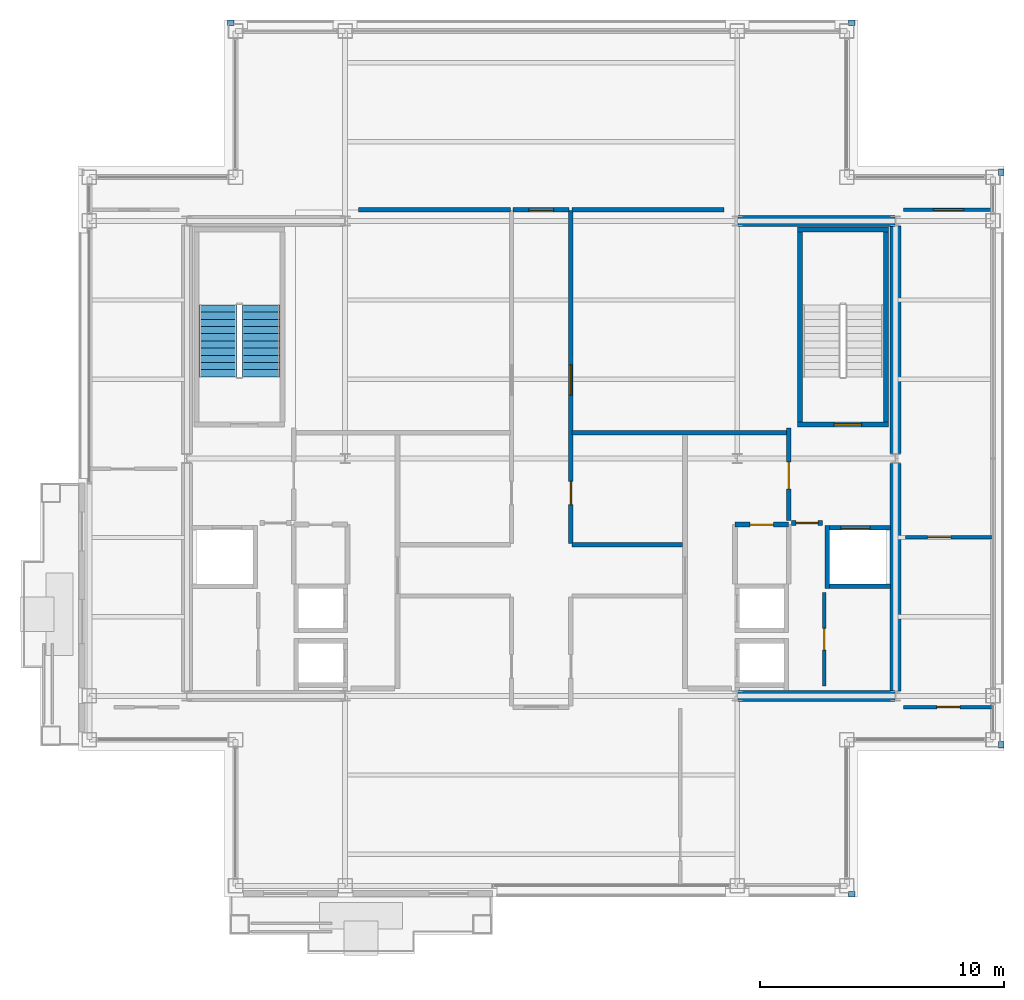
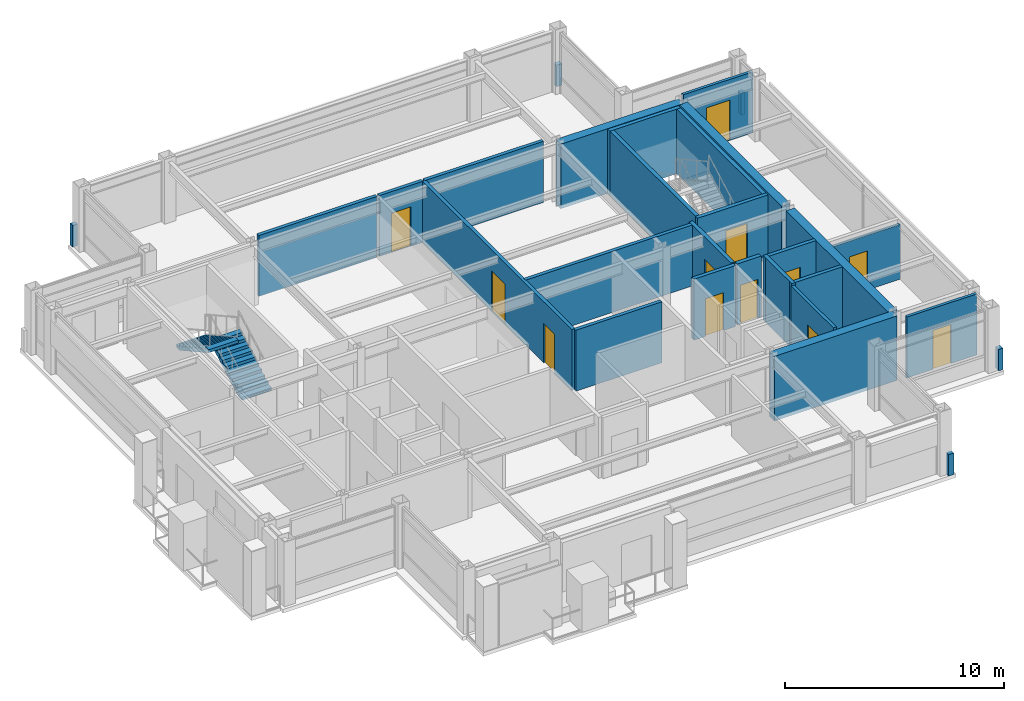
# One storey, part 24 of 27: 29 walls, 12 doors, 2 stair flights, 12 openings, 1 element without a shape of its own.
"""IFC4 building model written with IfcOpenShell, lengths in metres."""

from ifc_helpers import new_model, si_unit, direction, frame, frame_2d, origin, place, context, subcontext, project, spatial, polyline, rectangle, outline, extrude, material, layer, layer_set, type_object, element, fill, aggregate, save


model = new_model("IFC4")

# Units and contexts
model_context = context("Model", 3, precision=1e-05, world=origin(), true_north=direction((0.0, 1.0)))
body_context = subcontext(model_context, "Body", "Model", "MODEL_VIEW")
ifc_project = project(units=[si_unit("LENGTHUNIT", "METRE"), si_unit("AREAUNIT", "SQUARE_METRE"), si_unit("VOLUMEUNIT", "CUBIC_METRE"), si_unit("PLANEANGLEUNIT", "RADIAN"), si_unit("MASSUNIT", "GRAM", prefix="KILO")], contexts=[model_context])

# Site, building, storey
site_placement = place(None, origin())
site = spatial("IfcSite", under=ifc_project, at=site_placement, CompositionType="ELEMENT")
building_placement = place(site_placement, origin())
building = spatial("IfcBuilding", under=site, at=building_placement, Name="Brelmoor Portico Tower", CompositionType="ELEMENT")
storey_placement = place(building_placement, frame((0.0, 0.0, 250.800048828125)))
storey = spatial("IfcBuildingStorey", under=building, at=storey_placement, Name="L66", CompositionType="ELEMENT", Elevation=250.800048828125)

# Walls
ifc_material_1 = material(Name="Concrete C50", Category="concrete")
ifc_layer_1 = layer(ifc_material_1, 0.449951171875)
ifc_layer_set_1 = layer_set([ifc_layer_1], Name="Concrete C50")
wall_type_1 = type_object("IfcWallType", Name="WL-CORE-450", PredefinedType="SHEAR", material=ifc_layer_set_1)
for number, where, z_axis, x_axis, name in (
    (1, (8.070068359375, -9.75, -0.199951171875), (0.0, 0.0, 1.0), (1.0, 0.0, 0.0), "L66 EC South Shear Wall"),
    (2, (8.070068359375, 9.75, -0.199951171875), (0.0, 0.0, 1.0), (1.0, 0.0, 0.0), "L66 EC North Shear Wall"),
):
    element("IfcWall", number, at=place(storey_placement, frame(where, z_axis=z_axis, x_axis=x_axis)), inside=storey, type_object=wall_type_1, Name=name, PredefinedType="SHEAR", context=body_context, shape_type="SweptSolid", body=[
        extrude(rectangle(XDim=6.4599609375, YDim=0.449951171875, at=frame_2d((3.22998046875, 0.0))), origin(), (0.0, 0.0, 1.0), 3.599853515625),
    ])
for number, where, z_axis, x_axis, name in (
    (3, (14.550048828125, -9.550048828125, -0.199951171875), (0.0, 0.0, 1.0), (0.0, 1.0, 0.0), "L66 EC Outer South Shear Wall"),
    (4, (14.550048828125, 0.199951171875, -0.199951171875), (0.0, 0.0, 1.0), (0.0, 1.0, 0.0), "L66 EC Outer North Shear Wall"),
):
    element("IfcWall", number, at=place(storey_placement, frame(where, z_axis=z_axis, x_axis=x_axis)), inside=storey, type_object=wall_type_1, Name=name, PredefinedType="SHEAR", context=body_context, shape_type="SweptSolid", body=[
        extrude(rectangle(XDim=9.35009765625, YDim=0.449951171875, at=frame_2d((4.675048828125, 0.0))), origin(), (0.0, 0.0, 1.0), 3.599853515625),
    ])
ifc_material_2 = material(Name="Concrete C40 Parapet Upstand", Category="concrete")
ifc_layer_2 = layer(ifc_material_2, 0.219970703125)
ifc_layer_set_2 = layer_set([ifc_layer_2], Name="Concrete C40 Parapet Upstand")
wall_type_2 = type_object("IfcWallType", Name="WL-PARAPET-220", PredefinedType="PARAPET", material=ifc_layer_set_2)
for number, where, z_axis, x_axis, name in (
    (5, (12.6201171875, -17.889892578125, 0.0), (0.0, 0.0, 1.0), (1.0, 0.0, 0.0), "L66 Chamfer Vertex Parapet Pier SE1"),
    (6, (18.889892578125, -11.889892578125, 0.0), (0.0, 0.0, 1.0), (0.0, 1.0, 0.0), "L66 Chamfer Vertex Parapet Pier SE2"),
    (7, (-12.889892578125, 17.889892578125, 0.0), (0.0, 0.0, 1.0), (1.0, 0.0, 0.0), "L66 Chamfer Vertex Parapet Pier NW1"),
    (8, (12.6201171875, 17.889892578125, 0.0), (0.0, 0.0, 1.0), (1.0, 0.0, 0.0), "L66 Chamfer Vertex Parapet Pier NE1"),
    (9, (18.889892578125, 11.6201171875, 0.0), (0.0, 0.0, 1.0), (0.0, 1.0, 0.0), "L66 Chamfer Vertex Parapet Pier NE2"),
):
    element("IfcWall", number, at=place(storey_placement, frame(where, z_axis=z_axis, x_axis=x_axis)), inside=storey, type_object=wall_type_2, Name=name, PredefinedType="PARAPET", context=body_context, shape_type="SweptSolid", body=[
        extrude(rectangle(XDim=0.269775390625, YDim=0.219970703125, at=frame_2d((0.134765625, 0.0))), origin(), (0.0, 0.0, 1.0), 1.199951171875),
    ])

# Wall, opening, door
ifc_material_3 = material(Name="Wet-Area Moisture-Resistant Partition", Category="gypsum")
ifc_layer_3 = layer(ifc_material_3, 0.14990234375)
ifc_layer_set_3 = layer_set([ifc_layer_3], Name="Wet-Area Moisture-Resistant Partition")
wall_type_3 = type_object("IfcWallType", Name="WL-PART-150", PredefinedType="PARTITIONING", material=ifc_layer_set_3)
wall_1_placement = place(storey_placement, frame((14.8798828125, 10.2099609375, 0.0), z_axis=(0.0, 0.0, 1.0), x_axis=(1.0, 0.0, 0.0)))
wall_1 = element("IfcWall", 10, at=wall_1_placement, inside=storey, type_object=wall_type_3, Name="L66 North Wing Suite Wall ER", PredefinedType="PARTITIONING", context=body_context, shape_type="SweptSolid", body=[
    extrude(rectangle(XDim=3.68017578125, YDim=0.14990234375, at=frame_2d((1.840087890625, 0.0))), origin(), (0.0, 0.0, 1.0), 3.39990234375),
])
opening_1_placement = place(wall_1_placement, frame((1.219970703125, 0.0, 0.0)))
opening_1 = element("IfcOpeningElement", 11, at=opening_1_placement, cuts=wall_1, Name="Opening D-SU1", PredefinedType="OPENING", context=body_context, shape_type="SweptSolid", body=[
    extrude(rectangle(XDim=1.239990234375, YDim=2.239990234375, at=frame_2d((0.6201171875, 1.1201171875))), frame((0.0, 0.0849609375, 0.0), z_axis=(0.0, -1.0, 0.0), x_axis=(1.0, 0.0, 0.0)), (0.0, 0.0, 1.0), 0.169921875),
])
ifc_material_4 = material(Name="Glazed Timber Executive Suite Door", Category="wood")
door_type_1 = type_object("IfcDoorType", Name="DR-SUITE-1200", OperationType="NOTDEFINED", PredefinedType="DOOR", material=ifc_material_4)
door_1_placement = place(opening_1_placement, origin())
door_1 = element("IfcDoor", 12, at=door_1_placement, inside=storey, type_object=door_type_1, Name="D-2728 L66 ER Wing Suite Connecting Door", OperationType="SINGLE_SWING_LEFT", OverallHeight=2.239990234375, OverallWidth=1.239990234375, PredefinedType="DOOR", context=body_context, shape_type="SweptSolid", body=[
    extrude(rectangle(XDim=1.239990234375, YDim=2.239990234375, at=frame_2d((0.6201171875, 1.1201171875))), frame((0.0, 0.02490234375, 0.0), z_axis=(0.0, -1.0, 0.0), x_axis=(1.0, 0.0, 0.0)), (0.0, 0.0, 1.0), 0.050048828125),
])
fill(opening_1, door_1)

wall_2_placement = place(storey_placement, frame((14.8798828125, -10.2099609375, 0.0), z_axis=(0.0, 0.0, 1.0), x_axis=(1.0, 0.0, 0.0)))
wall_2 = element("IfcWall", 13, at=wall_2_placement, inside=storey, type_object=wall_type_3, Name="L66 South Wing Closure ER", PredefinedType="PARTITIONING", context=body_context, shape_type="SweptSolid", body=[
    extrude(rectangle(XDim=3.68017578125, YDim=0.14990234375, at=frame_2d((1.840087890625, 0.0))), origin(), (0.0, 0.0, 1.0), 3.39990234375),
])
opening_2_placement = place(wall_2_placement, frame((1.360107421875, 0.0, 0.0)))
opening_2 = element("IfcOpeningElement", 14, at=opening_2_placement, cuts=wall_2, Name="Opening D-IN2", PredefinedType="OPENING", context=body_context, shape_type="SweptSolid", body=[
    extrude(rectangle(XDim=0.9599609375, YDim=2.179931640625, at=frame_2d((0.47998046875, 1.08984375))), frame((0.0, 0.0849609375, 0.0), z_axis=(0.0, -1.0, 0.0), x_axis=(1.0, 0.0, 0.0)), (0.0, 0.0, 1.0), 0.169921875),
])
ifc_material_5 = material(Name="Lacquered Timber Suite Door", Category="wood")
door_type_2 = type_object("IfcDoorType", Name="DR-INT-950", OperationType="NOTDEFINED", PredefinedType="DOOR", material=ifc_material_5)
door_2_placement = place(opening_2_placement, origin())
door_2 = element("IfcDoor", 15, at=door_2_placement, inside=storey, type_object=door_type_2, Name="D-2734 L66 ER Wing South Suite Door", OperationType="SINGLE_SWING_RIGHT", OverallHeight=2.179931640625, OverallWidth=0.9599609375, PredefinedType="DOOR", context=body_context, shape_type="SweptSolid", body=[
    extrude(rectangle(XDim=0.9599609375, YDim=2.179931640625, at=frame_2d((0.47998046875, 1.08984375))), frame((0.0, 0.02490234375, 0.0), z_axis=(0.0, -1.0, 0.0), x_axis=(1.0, 0.0, 0.0)), (0.0, 0.0, 1.0), 0.050048828125),
])
fill(opening_2, door_2)

wall_3_placement = place(storey_placement, frame((14.9599609375, -3.24169921875, 0.0), z_axis=(0.0, 0.0, 1.0), x_axis=(1.0, 0.0, 0.0)))
wall_3 = element("IfcWall", 16, at=wall_3_placement, inside=storey, type_object=wall_type_3, Name="L66 E Wing Partition 1", PredefinedType="PARTITIONING", context=body_context, shape_type="SweptSolid", body=[
    extrude(rectangle(XDim=3.60009765625, YDim=0.14990234375, at=frame_2d((1.800048828125, 0.0))), origin(), (0.0, 0.0, 1.0), 3.050048828125),
])
opening_3_placement = place(wall_3_placement, frame((0.89990234375, 0.0, 0.0)))
opening_3 = element("IfcOpeningElement", 17, at=opening_3_placement, cuts=wall_3, Name="Opening D-IN2", PredefinedType="OPENING", context=body_context, shape_type="SweptSolid", body=[
    extrude(rectangle(XDim=0.9599609375, YDim=2.179931640625, at=frame_2d((0.47998046875, 1.08984375))), frame((0.0, 0.0849609375, 0.0), z_axis=(0.0, -1.0, 0.0), x_axis=(1.0, 0.0, 0.0)), (0.0, 0.0, 1.0), 0.169921875),
])
door_3_placement = place(opening_3_placement, origin())
door_3 = element("IfcDoor", 18, at=door_3_placement, inside=storey, type_object=door_type_2, Name="D-2738 L66 E Wing Suite Connecting Door 1", OperationType="SINGLE_SWING_RIGHT", OverallHeight=2.179931640625, OverallWidth=0.9599609375, PredefinedType="DOOR", context=body_context, shape_type="SweptSolid", body=[
    extrude(rectangle(XDim=0.9599609375, YDim=2.179931640625, at=frame_2d((0.47998046875, 1.08984375))), frame((0.0, 0.02490234375, 0.0), z_axis=(0.0, -1.0, 0.0), x_axis=(1.0, 0.0, 0.0)), (0.0, 0.0, 1.0), 0.050048828125),
])
fill(opening_3, door_3)

ifc_material_6 = material(Name="Twin-Frame Acoustic Partition", Category="gypsum")
ifc_layer_4 = layer(ifc_material_6, 0.159912109375)
ifc_layer_set_4 = layer_set([ifc_layer_4], Name="Twin-Frame Acoustic Partition")
wall_type_4 = type_object("IfcWallType", Name="WL-PART-160", PredefinedType="PARTITIONING", material=ifc_layer_set_4)
wall_4_placement = place(storey_placement, frame((11.6201171875, -9.35009765625, 0.0), z_axis=(0.0, 0.0, 1.0), x_axis=(0.0, 1.0, 0.0)))
wall_4 = element("IfcWall", 19, at=wall_4_placement, inside=storey, type_object=wall_type_4, Name="L66 E Core Service Front Wall", PredefinedType="PARTITIONING", context=body_context, shape_type="SweptSolid", body=[
    extrude(rectangle(XDim=3.85009765625, YDim=0.159912109375, at=frame_2d((1.925048828125, 0.0))), origin(), (0.0, 0.0, 1.0), 3.39990234375),
])
opening_4_placement = place(wall_4_placement, frame((1.47509765625, 0.0, 0.0)))
opening_4 = element("IfcOpeningElement", 20, at=opening_4_placement, cuts=wall_4, Name="Opening D-IN1", PredefinedType="OPENING", context=body_context, shape_type="SweptSolid", body=[
    extrude(rectangle(XDim=0.89990234375, YDim=2.14990234375, at=frame_2d((0.449951171875, 1.074951171875))), frame((0.0, 0.08984375, 0.0), z_axis=(0.0, -1.0, 0.0), x_axis=(1.0, 0.0, 0.0)), (0.0, 0.0, 1.0), 0.179931640625),
])
door_type_3 = type_object("IfcDoorType", Name="DR-INT-900", OperationType="NOTDEFINED", PredefinedType="DOOR", material=ifc_material_5)
door_4_placement = place(opening_4_placement, origin())
door_4 = element("IfcDoor", 21, at=door_4_placement, inside=storey, type_object=door_type_3, Name="D-2717 L66 E Male WC Door", OperationType="SINGLE_SWING_RIGHT", OverallHeight=2.14990234375, OverallWidth=0.89990234375, PredefinedType="DOOR", context=body_context, shape_type="SweptSolid", body=[
    extrude(rectangle(XDim=0.89990234375, YDim=2.14990234375, at=frame_2d((0.449951171875, 1.074951171875))), frame((0.0, 0.02490234375, 0.0), z_axis=(0.0, -1.0, 0.0), x_axis=(1.0, 0.0, 0.0)), (0.0, 0.0, 1.0), 0.050048828125),
])
fill(opening_4, door_4)

# Walls
ifc_material_7 = material(Name="Acoustic Corridor Fire Partition", Category="gypsum")
ifc_layer_5 = layer(ifc_material_7, 0.179931640625)
ifc_layer_set_5 = layer_set([ifc_layer_5], Name="Acoustic Corridor Fire Partition")
wall_type_5 = type_object("IfcWallType", Name="WL-PART-180", PredefinedType="PARTITIONING", material=ifc_layer_set_5)
wall_5_placement = place(storey_placement, frame((-7.5, 10.2099609375, 0.0), z_axis=(0.0, 0.0, 1.0), x_axis=(1.0, 0.0, 0.0)))
element("IfcWall", 22, at=wall_5_placement, inside=storey, type_object=wall_type_5, Name="L66 West Reclaimed Suite North Wall", PredefinedType="PARTITIONING", context=body_context, shape_type="SweptSolid", body=[
    extrude(rectangle(XDim=6.239990234375, YDim=0.179931640625, at=frame_2d((3.1201171875, 0.0))), origin(), (0.0, 0.0, 1.0), 3.39990234375),
])
wall_6_placement = place(storey_placement, frame((1.260009765625, 1.050048828125, 0.0), z_axis=(0.0, 0.0, 1.0), x_axis=(1.0, 0.0, 0.0)))
element("IfcWall", 23, at=wall_6_placement, inside=storey, type_object=wall_type_5, Name="L66 East Suite South Wall", PredefinedType="PARTITIONING", context=body_context, shape_type="SweptSolid", body=[
    extrude(rectangle(XDim=8.800048828125, YDim=0.179931640625, at=frame_2d((4.39990234375, 0.0))), origin(), (0.0, 0.0, 1.0), 3.39990234375),
])

# Wall, openings, doors
wall_7_placement = place(storey_placement, frame((1.219970703125, -3.5, 0.0), z_axis=(0.0, 0.0, 1.0), x_axis=(0.0, 1.0, 0.0)))
wall_7 = element("IfcWall", 24, at=wall_7_placement, inside=storey, type_object=wall_type_5, Name="L66 Central Cross East Wall", PredefinedType="PARTITIONING", context=body_context, shape_type="SweptSolid", body=[
    extrude(rectangle(XDim=13.669921875, YDim=0.179931640625, at=frame_2d((6.8349609375, 0.0))), origin(), (0.0, 0.0, 1.0), 3.39990234375),
])
opening_5_placement = place(wall_7_placement, frame((6.10009765625, 0.0, 0.0)))
opening_5 = element("IfcOpeningElement", 25, at=opening_5_placement, cuts=wall_7, Name="Opening D-SU1", PredefinedType="OPENING", context=body_context, shape_type="SweptSolid", body=[
    extrude(rectangle(XDim=1.239990234375, YDim=2.239990234375, at=frame_2d((0.6201171875, 1.1201171875))), frame((0.0, 0.099853515625, 0.0), z_axis=(0.0, -1.0, 0.0), x_axis=(1.0, 0.0, 0.0)), (0.0, 0.0, 1.0), 0.199951171875),
])
opening_6_placement = place(wall_7_placement, frame((1.60009765625, 0.0, 0.0)))
opening_6 = element("IfcOpeningElement", 26, at=opening_6_placement, cuts=wall_7, Name="Opening D-IN2", PredefinedType="OPENING", context=body_context, shape_type="SweptSolid", body=[
    extrude(rectangle(XDim=0.9599609375, YDim=2.179931640625, at=frame_2d((0.47998046875, 1.08984375))), frame((0.0, 0.099853515625, 0.0), z_axis=(0.0, -1.0, 0.0), x_axis=(1.0, 0.0, 0.0)), (0.0, 0.0, 1.0), 0.199951171875),
])
door_5_placement = place(opening_6_placement, origin())
door_5 = element("IfcDoor", 27, at=door_5_placement, inside=storey, type_object=door_type_2, Name="D-2711 L66 Client Project Office Door", OperationType="SINGLE_SWING_RIGHT", OverallHeight=2.179931640625, OverallWidth=0.9599609375, PredefinedType="DOOR", context=body_context, shape_type="SweptSolid", body=[
    extrude(rectangle(XDim=0.9599609375, YDim=2.179931640625, at=frame_2d((0.47998046875, 1.08984375))), frame((0.0, 0.02490234375, 0.0), z_axis=(0.0, -1.0, 0.0), x_axis=(1.0, 0.0, 0.0)), (0.0, 0.0, 1.0), 0.050048828125),
])
fill(opening_6, door_5)
door_6_placement = place(opening_5_placement, origin())
door_6 = element("IfcDoor", 28, at=door_6_placement, inside=storey, type_object=door_type_1, Name="D-2712 L66 East Reclaimed Studio Door", OperationType="SINGLE_SWING_LEFT", OverallHeight=2.239990234375, OverallWidth=1.239990234375, PredefinedType="DOOR", context=body_context, shape_type="SweptSolid", body=[
    extrude(rectangle(XDim=1.239990234375, YDim=2.239990234375, at=frame_2d((0.6201171875, 1.1201171875))), frame((0.0, 0.02490234375, 0.0), z_axis=(0.0, -1.0, 0.0), x_axis=(1.0, 0.0, 0.0)), (0.0, 0.0, 1.0), 0.050048828125),
])
fill(opening_5, door_6)

# Walls
wall_8_placement = place(storey_placement, frame((1.260009765625, 10.2099609375, 0.0), z_axis=(0.0, 0.0, 1.0), x_axis=(1.0, 0.0, 0.0)))
element("IfcWall", 29, at=wall_8_placement, inside=storey, type_object=wall_type_5, Name="L66 East Suite North Wall", PredefinedType="PARTITIONING", context=body_context, shape_type="SweptSolid", body=[
    extrude(rectangle(XDim=6.239990234375, YDim=0.179931640625, at=frame_2d((3.1201171875, 0.0))), origin(), (0.0, 0.0, 1.0), 3.39990234375),
])
wall_9_placement = place(storey_placement, frame((1.260009765625, -3.550048828125, 0.0), z_axis=(0.0, 0.0, 1.0), x_axis=(1.0, 0.0, 0.0)))
element("IfcWall", 30, at=wall_9_placement, inside=storey, type_object=wall_type_5, Name="L66 East Office South Wall", PredefinedType="PARTITIONING", context=body_context, shape_type="SweptSolid", body=[
    extrude(rectangle(XDim=4.5400390625, YDim=0.179931640625, at=frame_2d((2.27001953125, 0.0))), origin(), (0.0, 0.0, 1.0), 3.39990234375),
])

# Wall, opening, door
wall_10_placement = place(storey_placement, frame((-1.14990234375, 10.2099609375, 0.0), z_axis=(0.0, 0.0, 1.0), x_axis=(1.0, 0.0, 0.0)))
wall_10 = element("IfcWall", 31, at=wall_10_placement, inside=storey, type_object=wall_type_5, Name="L66 North Corridor Partition", PredefinedType="PARTITIONING", context=body_context, shape_type="SweptSolid", body=[
    extrude(rectangle(XDim=2.2998046875, YDim=0.179931640625, at=frame_2d((1.14990234375, 0.0))), origin(), (0.0, 0.0, 1.0), 3.39990234375),
])
opening_7_placement = place(wall_10_placement, frame((0.639892578125, 0.0, 0.0)))
opening_7 = element("IfcOpeningElement", 32, at=opening_7_placement, cuts=wall_10, Name="Opening D-OF1", PredefinedType="OPENING", context=body_context, shape_type="SweptSolid", body=[
    extrude(rectangle(XDim=1.02001953125, YDim=2.199951171875, at=frame_2d((0.510009765625, 1.10009765625))), frame((0.0, 0.099853515625, 0.0), z_axis=(0.0, -1.0, 0.0), x_axis=(1.0, 0.0, 0.0)), (0.0, 0.0, 1.0), 0.199951171875),
])
ifc_material_8 = material(Name="Hardwood Acoustic Veneer Door", Category="wood")
door_type_4 = type_object("IfcDoorType", Name="DR-OFFICE-1000", OperationType="NOTDEFINED", PredefinedType="DOOR", material=ifc_material_8)
door_7_placement = place(opening_7_placement, origin())
door_7 = element("IfcDoor", 33, at=door_7_placement, inside=storey, type_object=door_type_4, Name="D-2727 L66 North Technical Archive Store 1 Door", OperationType="SINGLE_SWING_LEFT", OverallHeight=2.199951171875, OverallWidth=1.02001953125, PredefinedType="DOOR", context=body_context, shape_type="SweptSolid", body=[
    extrude(rectangle(XDim=1.02001953125, YDim=2.199951171875, at=frame_2d((0.510009765625, 1.10009765625))), frame((0.0, 0.02490234375, 0.0), z_axis=(0.0, -1.0, 0.0), x_axis=(1.0, 0.0, 0.0)), (0.0, 0.0, 1.0), 0.050048828125),
])
fill(opening_7, door_7)

ifc_material_9 = material(Name="Double-Stud Gypsum Fire Partition", Category="gypsum")
ifc_layer_6 = layer(ifc_material_9, 0.199951171875)
ifc_layer_set_6 = layer_set([ifc_layer_6], Name="Double-Stud Gypsum Fire Partition")
wall_type_6 = type_object("IfcWallType", Name="WL-PART-200", PredefinedType="PARTITIONING", material=ifc_layer_set_6)
wall_11_placement = place(storey_placement, frame((10.159912109375, -2.550048828125, 0.0), z_axis=(0.0, 0.0, 1.0), x_axis=(0.0, 1.0, 0.0)))
wall_11 = element("IfcWall", 34, at=wall_11_placement, inside=storey, type_object=wall_type_6, Name="L66 E Firefighting Lobby Wall", PredefinedType="PARTITIONING", context=body_context, shape_type="SweptSolid", body=[
    extrude(rectangle(XDim=3.800048828125, YDim=0.199951171875, at=frame_2d((1.89990234375, 0.0))), origin(), (0.0, 0.0, 1.0), 3.39990234375),
])
opening_8_placement = place(wall_11_placement, frame((1.300048828125, 0.0, 0.0)))
opening_8 = element("IfcOpeningElement", 35, at=opening_8_placement, cuts=wall_11, Name="Opening D-FR1", PredefinedType="OPENING", context=body_context, shape_type="SweptSolid", body=[
    extrude(rectangle(XDim=1.10009765625, YDim=2.14990234375, at=frame_2d((0.550048828125, 1.074951171875))), frame((0.0, 0.10986328125, 0.0), z_axis=(0.0, -1.0, 0.0), x_axis=(1.0, 0.0, 0.0)), (0.0, 0.0, 1.0), 0.219970703125),
])
ifc_material_10 = material(Name="Painted Galvanised Steel Fire Door", Category="steel")
door_type_5 = type_object("IfcDoorType", Name="DR-FIRE-1100", OperationType="NOTDEFINED", PredefinedType="DOOR", material=ifc_material_10)
door_8_placement = place(opening_8_placement, origin())
door_8 = element("IfcDoor", 36, at=door_8_placement, inside=storey, type_object=door_type_5, Name="D-2723 L66 E Firefighting Lobby Door", OperationType="SINGLE_SWING_LEFT", OverallHeight=2.14990234375, OverallWidth=1.10009765625, PredefinedType="DOOR", context=body_context, shape_type="SweptSolid", body=[
    extrude(rectangle(XDim=1.10009765625, YDim=2.14990234375, at=frame_2d((0.550048828125, 1.074951171875))), frame((0.0, 0.02490234375, 0.0), z_axis=(0.0, -1.0, 0.0), x_axis=(1.0, 0.0, 0.0)), (0.0, 0.0, 1.0), 0.050048828125),
])
fill(opening_8, door_8)

wall_12_placement = place(storey_placement, frame((10.280029296875, -2.64990234375, 0.0), z_axis=(0.0, 0.0, 1.0), x_axis=(1.0, 0.0, 0.0)))
wall_12 = element("IfcWall", 37, at=wall_12_placement, inside=storey, type_object=wall_type_6, Name="L66 E Firefighting Lobby South Wall", PredefinedType="PARTITIONING", context=body_context, shape_type="SweptSolid", body=[
    extrude(rectangle(XDim=1.27001953125, YDim=0.199951171875, at=frame_2d((0.635009765625, 0.0))), origin(), (0.0, 0.0, 1.0), 3.39990234375),
])
opening_9_placement = place(wall_12_placement, frame((0.18505859375, 0.0, 0.0)))
opening_9 = element("IfcOpeningElement", 38, at=opening_9_placement, cuts=wall_12, Name="Opening D-IN1", PredefinedType="OPENING", context=body_context, shape_type="SweptSolid", body=[
    extrude(rectangle(XDim=0.89990234375, YDim=2.14990234375, at=frame_2d((0.449951171875, 1.074951171875))), frame((0.0, 0.10986328125, 0.0), z_axis=(0.0, -1.0, 0.0), x_axis=(1.0, 0.0, 0.0)), (0.0, 0.0, 1.0), 0.219970703125),
])
door_9_placement = place(opening_9_placement, origin())
door_9 = element("IfcDoor", 39, at=door_9_placement, inside=storey, type_object=door_type_3, Name="D-2718 L66 E Core Service Vestibule Door", OperationType="SINGLE_SWING_RIGHT", OverallHeight=2.14990234375, OverallWidth=0.89990234375, PredefinedType="DOOR", context=body_context, shape_type="SweptSolid", body=[
    extrude(rectangle(XDim=0.89990234375, YDim=2.14990234375, at=frame_2d((0.449951171875, 1.074951171875))), frame((0.0, 0.02490234375, 0.0), z_axis=(0.0, -1.0, 0.0), x_axis=(1.0, 0.0, 0.0)), (0.0, 0.0, 1.0), 0.050048828125),
])
fill(opening_9, door_9)

wall_13_placement = place(storey_placement, frame((7.9599609375, -2.719970703125, 0.0), z_axis=(0.0, 0.0, 1.0), x_axis=(1.0, 0.0, 0.0)))
wall_13 = element("IfcWall", 40, at=wall_13_placement, inside=storey, type_object=wall_type_6, Name="L66 E Electrical Switchgear Closet Wall", PredefinedType="PARTITIONING", context=body_context, shape_type="SweptSolid", body=[
    extrude(rectangle(XDim=2.199951171875, YDim=0.199951171875, at=frame_2d((1.10009765625, 0.0))), origin(), (0.0, 0.0, 1.0), 3.39990234375),
])
opening_10_placement = place(wall_13_placement, frame((0.6201171875, 0.0, 0.0)))
opening_10 = element("IfcOpeningElement", 41, at=opening_10_placement, cuts=wall_13, Name="Opening D-FR4", PredefinedType="OPENING", context=body_context, shape_type="SweptSolid", body=[
    extrude(rectangle(XDim=0.949951171875, YDim=2.10009765625, at=frame_2d((0.47509765625, 1.050048828125))), frame((0.0, 0.10986328125, 0.0), z_axis=(0.0, -1.0, 0.0), x_axis=(1.0, 0.0, 0.0)), (0.0, 0.0, 1.0), 0.219970703125),
])
ifc_material_11 = material(Name="Painted Galvanised Steel Riser Door", Category="steel")
door_type_6 = type_object("IfcDoorType", Name="DR-FIRE-950", OperationType="NOTDEFINED", PredefinedType="DOOR", material=ifc_material_11)
door_10_placement = place(opening_10_placement, origin())
door_10 = element("IfcDoor", 42, at=door_10_placement, inside=storey, type_object=door_type_6, Name="D-2721 L66 E Electrical Switchgear Closet Door", OperationType="SINGLE_SWING_LEFT", OverallHeight=2.10009765625, OverallWidth=0.949951171875, PredefinedType="DOOR", context=body_context, shape_type="SweptSolid", body=[
    extrude(rectangle(XDim=0.949951171875, YDim=2.10009765625, at=frame_2d((0.47509765625, 1.050048828125))), frame((0.0, 0.02490234375, 0.0), z_axis=(0.0, -1.0, 0.0), x_axis=(1.0, 0.0, 0.0)), (0.0, 0.0, 1.0), 0.050048828125),
])
fill(opening_10, door_10)

ifc_material_12 = material(Name="Precast Concrete C40", Category="concrete")
ifc_layer_7 = layer(ifc_material_12, 0.18994140625)
ifc_layer_set_7 = layer_set([ifc_layer_7], Name="Precast Concrete C40")
wall_type_7 = type_object("IfcWallType", Name="WL-SHAFT-180", PredefinedType="SOLIDWALL", material=ifc_layer_set_7)
wall_14_placement = place(storey_placement, frame((11.64990234375, -2.844970703125, -0.199951171875), z_axis=(0.0, 0.0, 1.0), x_axis=(1.0, 0.0, 0.0)))
wall_14 = element("IfcWall", 43, at=wall_14_placement, inside=storey, type_object=wall_type_7, Name="L66 Lift FF2 Hoistway Front Wall", PredefinedType="SOLIDWALL", context=body_context, shape_type="SweptSolid", body=[
    extrude(rectangle(XDim=2.68017578125, YDim=0.18994140625, at=frame_2d((1.340087890625, 0.0))), origin(), (0.0, 0.0, 1.0), 3.599853515625),
])
opening_11_placement = place(wall_14_placement, frame((0.64990234375, 0.0, 0.199951171875)))
opening_11 = element("IfcOpeningElement", 44, at=opening_11_placement, cuts=wall_14, Name="Opening LD-02", PredefinedType="OPENING", context=body_context, shape_type="SweptSolid", body=[
    extrude(rectangle(XDim=1.199951171875, YDim=2.199951171875, at=frame_2d((0.60009765625, 1.10009765625))), frame((0.0, 0.10498046875, 0.0), z_axis=(0.0, -1.0, 0.0), x_axis=(1.0, 0.0, 0.0)), (0.0, 0.0, 1.0), 0.2099609375),
])
ifc_material_13 = material(Name="Brushed Stainless Steel Firefighting Lift Door", Category="steel")
door_type_7 = type_object("IfcDoorType", Name="DR-LIFT-1200", OperationType="NOTDEFINED", PredefinedType="DOOR", material=ifc_material_13)
door_11_placement = place(opening_11_placement, origin())
door_11 = element("IfcDoor", 45, at=door_11_placement, inside=storey, type_object=door_type_7, Name="D-2741 L66 Lift FF2 Sliding Landing Door", OperationType="SLIDING_TO_LEFT", OverallHeight=2.199951171875, OverallWidth=1.199951171875, PredefinedType="DOOR", context=body_context, shape_type="SweptSolid", body=[
    extrude(rectangle(XDim=1.199951171875, YDim=2.199951171875, at=frame_2d((0.60009765625, 1.10009765625))), frame((0.0, 0.02490234375, 0.0), z_axis=(0.0, -1.0, 0.0), x_axis=(1.0, 0.0, 0.0)), (0.0, 0.0, 1.0), 0.050048828125),
])
fill(opening_11, door_11)

# Walls
wall_15_placement = place(storey_placement, frame((11.64990234375, -5.2548828125, -0.199951171875), z_axis=(0.0, 0.0, 1.0), x_axis=(1.0, 0.0, 0.0)))
element("IfcWall", 46, at=wall_15_placement, inside=storey, type_object=wall_type_7, Name="L66 Firefighting Lift FF2 South Wall", PredefinedType="SOLIDWALL", context=body_context, shape_type="SweptSolid", body=[
    extrude(rectangle(XDim=2.68017578125, YDim=0.18994140625, at=frame_2d((1.340087890625, 0.0))), origin(), (0.0, 0.0, 1.0), 3.599853515625),
])
wall_16_placement = place(storey_placement, frame((11.7451171875, -5.35009765625, -0.199951171875), z_axis=(0.0, 0.0, 1.0), x_axis=(0.0, 1.0, 0.0)))
element("IfcWall", 47, at=wall_16_placement, inside=storey, type_object=wall_type_7, Name="L66 Firefighting Lift FF2 Inner Wall", PredefinedType="SOLIDWALL", context=body_context, shape_type="SweptSolid", body=[
    extrude(rectangle(XDim=2.60009765625, YDim=0.18994140625, at=frame_2d((1.300048828125, 0.0))), origin(), (0.0, 0.0, 1.0), 3.599853515625),
])
ifc_material_14 = material(Name="Concrete C40", Category="concrete")
ifc_layer_8 = layer(ifc_material_14, 0.199951171875)
ifc_layer_set_8 = layer_set([ifc_layer_8], Name="Concrete C40")
wall_type_8 = type_object("IfcWallType", Name="WL-SHAFT-RC200", PredefinedType="SOLIDWALL", material=ifc_layer_set_8)
wall_17_placement = place(storey_placement, frame((14.14990234375, 1.5, -0.199951171875), z_axis=(0.0, 0.0, 1.0), x_axis=(0.0, 1.0, 0.0)))
element("IfcWall", 48, at=wall_17_placement, inside=storey, type_object=wall_type_8, Name="L66 ST-E Structural Stair Wall Outer", PredefinedType="SOLIDWALL", context=body_context, shape_type="SweptSolid", body=[
    extrude(rectangle(XDim=7.800048828125, YDim=0.199951171875, at=frame_2d((3.89990234375, 0.0))), origin(), (0.0, 0.0, 1.0), 3.599853515625),
])

# Wall, opening, door
wall_18_placement = place(storey_placement, frame((10.530029296875, 1.39990234375, -0.199951171875), z_axis=(0.0, 0.0, 1.0), x_axis=(1.0, 0.0, 0.0)))
wall_18 = element("IfcWall", 49, at=wall_18_placement, inside=storey, type_object=wall_type_8, Name="L66 ST-E Structural Stair Wall S", PredefinedType="SOLIDWALL", context=body_context, shape_type="SweptSolid", body=[
    extrude(rectangle(XDim=3.719970703125, YDim=0.199951171875, at=frame_2d((1.85986328125, 0.0))), origin(), (0.0, 0.0, 1.0), 3.599853515625),
])
opening_12_placement = place(wall_18_placement, frame((1.5, 0.0, 0.199951171875)))
opening_12 = element("IfcOpeningElement", 50, at=opening_12_placement, cuts=wall_18, Name="Opening D-ST1", PredefinedType="OPENING", context=body_context, shape_type="SweptSolid", body=[
    extrude(rectangle(XDim=1.1201171875, YDim=2.179931640625, at=frame_2d((0.56005859375, 1.08984375))), frame((0.0, 0.10986328125, 0.0), z_axis=(0.0, -1.0, 0.0), x_axis=(1.0, 0.0, 0.0)), (0.0, 0.0, 1.0), 0.219970703125),
])
door_type_8 = type_object("IfcDoorType", Name="DR-STAIR-1100", OperationType="NOTDEFINED", PredefinedType="DOOR", material=ifc_material_10)
door_12_placement = place(opening_12_placement, origin())
door_12 = element("IfcDoor", 51, at=door_12_placement, inside=storey, type_object=door_type_8, Name="D-2732 L66 ST-E Protected Exit Stair Door", OperationType="SINGLE_SWING_RIGHT", OverallHeight=2.179931640625, OverallWidth=1.1201171875, PredefinedType="DOOR", context=body_context, shape_type="SweptSolid", body=[
    extrude(rectangle(XDim=1.1201171875, YDim=2.179931640625, at=frame_2d((0.56005859375, 1.08984375))), frame((0.0, 0.02490234375, 0.0), z_axis=(0.0, -1.0, 0.0), x_axis=(1.0, 0.0, 0.0)), (0.0, 0.0, 1.0), 0.050048828125),
])
fill(opening_12, door_12)

# Walls
wall_19_placement = place(storey_placement, frame((10.530029296875, 9.39990234375, -0.199951171875), z_axis=(0.0, 0.0, 1.0), x_axis=(1.0, 0.0, 0.0)))
element("IfcWall", 52, at=wall_19_placement, inside=storey, type_object=wall_type_8, Name="L66 ST-E Structural Stair Wall N", PredefinedType="SOLIDWALL", context=body_context, shape_type="SweptSolid", body=[
    extrude(rectangle(XDim=3.719970703125, YDim=0.199951171875, at=frame_2d((1.85986328125, 0.0))), origin(), (0.0, 0.0, 1.0), 3.599853515625),
])
wall_20_placement = place(storey_placement, frame((10.6298828125, 1.5, -0.199951171875), z_axis=(0.0, 0.0, 1.0), x_axis=(0.0, 1.0, 0.0)))
element("IfcWall", 53, at=wall_20_placement, inside=storey, type_object=wall_type_8, Name="L66 ST-E Structural Stair Wall Inner", PredefinedType="SOLIDWALL", context=body_context, shape_type="SweptSolid", body=[
    extrude(rectangle(XDim=7.800048828125, YDim=0.199951171875, at=frame_2d((3.89990234375, 0.0))), origin(), (0.0, 0.0, 1.0), 3.599853515625),
])

# Stair, stair flights
stair_type = type_object("IfcStairType", Name="ST-CORE-W", PredefinedType="HALF_TURN_STAIR", material=ifc_material_14)
stair_placement = place(storey_placement, origin())
stair = element("IfcStair", 54, at=stair_placement, inside=storey, type_object=stair_type, Name="L66 Protected Core Exit Stair ST-W", PredefinedType="HALF_TURN_STAIR")
stair_flight_type = type_object("IfcStairFlightType", Name="SF-CORE-1850", PredefinedType="STRAIGHT", material=ifc_material_14)
stair_flight_1_placement = place(storey_placement, frame((-11.510009765625, 3.35009765625, 0.0), z_axis=(0.0, 0.0, 1.0), x_axis=(0.0, 1.0, 0.0)))
stair_flight_1 = element("IfcStairFlight", 55, at=stair_flight_1_placement, type_object=stair_flight_type, Name="ST-W flight 1", NumberOfRisers=11, NumberOfTreads=10, PredefinedType="STRAIGHT", RiserHeight=0.163636364, TreadLength=0.295, context=body_context, shape_type="SweptSolid", body=[
    extrude(outline(polyline([(0.0, 0.0), (0.0, 0.16357421875), (0.294921875, 0.16357421875), (0.294921875, 0.327392578125), (0.590087890625, 0.327392578125), (0.590087890625, 0.490966796875), (0.885009765625, 0.490966796875), (0.885009765625, 0.654541015625), (1.179931640625, 0.654541015625), (1.179931640625, 0.818115234375), (1.47509765625, 0.818115234375), (1.47509765625, 0.98193359375), (1.77001953125, 0.98193359375), (1.77001953125, 1.1455078125), (2.06494140625, 1.1455078125), (2.06494140625, 1.30908203125), (2.360107421875, 1.30908203125), (2.360107421875, 1.47265625), (2.655029296875, 1.47265625), (2.655029296875, 1.636474609375), (2.949951171875, 1.636474609375), (2.949951171875, 1.800048828125), (2.949951171875, 1.46484375), (0.30908203125, 0.0), (0.0, 0.0)])), frame((0.0, 0.780029296875, 0.0), z_axis=(0.0, -1.0, 0.0), x_axis=(1.0, 0.0, 0.0)), (0.0, 0.0, 1.0), 1.56005859375),
])
stair_flight_2_placement = place(storey_placement, frame((-13.27001953125, 6.300048828125, 1.800048828125), z_axis=(0.0, 0.0, 1.0), x_axis=(0.0, -1.0, 0.0)))
stair_flight_2 = element("IfcStairFlight", 56, at=stair_flight_2_placement, type_object=stair_flight_type, Name="ST-W flight 2", NumberOfRisers=11, NumberOfTreads=10, PredefinedType="STRAIGHT", RiserHeight=0.163636364, TreadLength=0.295, context=body_context, shape_type="SweptSolid", body=[
    extrude(outline(polyline([(0.0, 0.0), (0.0, 0.16357421875), (0.294921875, 0.16357421875), (0.294921875, 0.327392578125), (0.590087890625, 0.327392578125), (0.590087890625, 0.490966796875), (0.885009765625, 0.490966796875), (0.885009765625, 0.654541015625), (1.179931640625, 0.654541015625), (1.179931640625, 0.818115234375), (1.47509765625, 0.818115234375), (1.47509765625, 0.98193359375), (1.77001953125, 0.98193359375), (1.77001953125, 1.1455078125), (2.06494140625, 1.1455078125), (2.06494140625, 1.30908203125), (2.360107421875, 1.30908203125), (2.360107421875, 1.47265625), (2.655029296875, 1.47265625), (2.655029296875, 1.636474609375), (2.949951171875, 1.636474609375), (2.949951171875, 1.800048828125), (2.949951171875, 1.46484375), (0.30908203125, 0.0), (0.0, 0.0)])), frame((0.0, 0.780029296875, 0.0), z_axis=(0.0, -1.0, 0.0), x_axis=(1.0, 0.0, 0.0)), (0.0, 0.0, 1.0), 1.56005859375),
])
aggregate(stair, [stair_flight_1, stair_flight_2])

save(model, "model.ifc")
